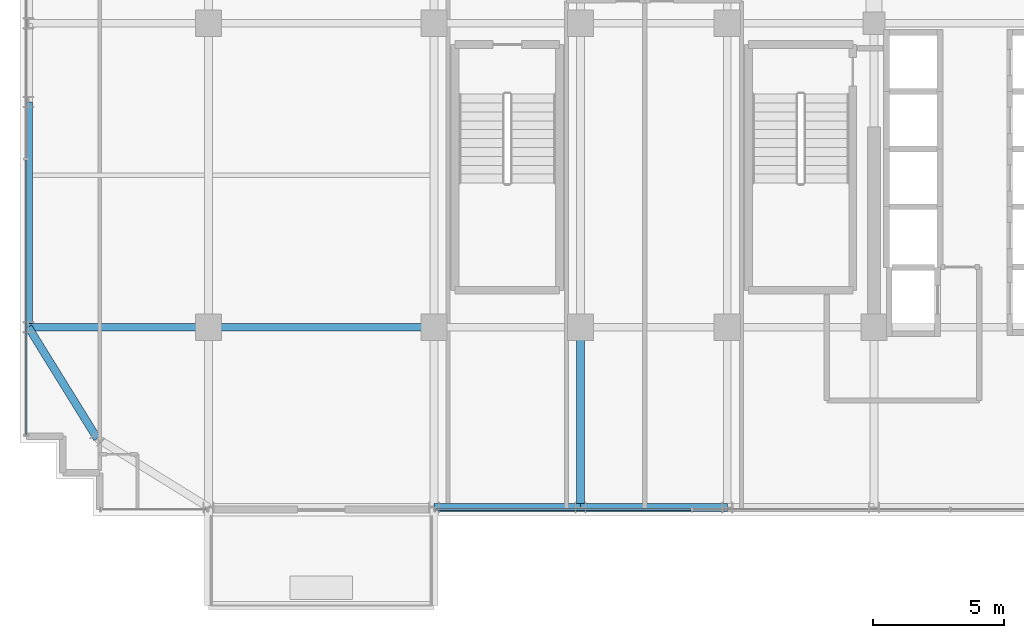
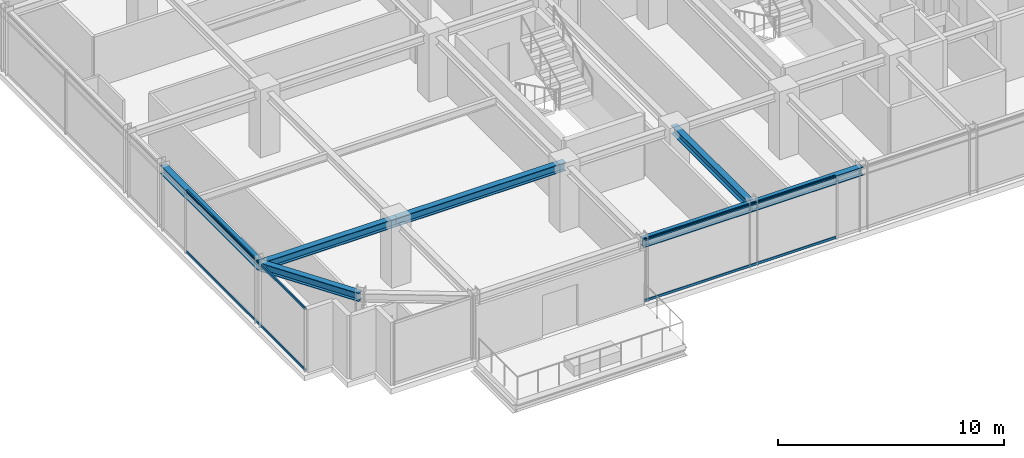
# One storey, part 5 of 36: 7 beams, 4 members, 2 elements without a shape of their own.
"""IFC4 building model written with IfcOpenShell, lengths in metres."""

from ifc_helpers import new_model, si_unit, direction, frame, origin, origin_2d, place, context, subcontext, project, spatial, hollow_rectangle, i_section, extrude, source, transform, mapped, material, material_profile, profile_set, type_object, element, aggregate, save


model = new_model("IFC4")

# Units and contexts
model_context = context("Model", 3, precision=1e-05, world=origin(), true_north=direction((0.0, 1.0)))
body_context = subcontext(model_context, "Body", "Model", "MODEL_VIEW")
ifc_project = project(units=[si_unit("LENGTHUNIT", "METRE"), si_unit("AREAUNIT", "SQUARE_METRE"), si_unit("VOLUMEUNIT", "CUBIC_METRE"), si_unit("PLANEANGLEUNIT", "RADIAN"), si_unit("MASSUNIT", "GRAM", prefix="KILO")], contexts=[model_context])

# Site, building, storey
site_placement = place(None, origin())
site = spatial("IfcSite", under=ifc_project, at=site_placement, CompositionType="ELEMENT")
building_placement = place(site_placement, origin())
building = spatial("IfcBuilding", under=site, at=building_placement, Name="Nahalor Promenade Grand Hotel", CompositionType="ELEMENT")
storey_placement = place(building_placement, frame((0.0, 0.0, 223.39990234375)))
storey = spatial("IfcBuildingStorey", under=building, at=storey_placement, Name="L57", CompositionType="ELEMENT", Elevation=223.39990234375)

# Beams
ifc_material_1 = material(Name="Steel S355JR", Category="steel")
ifc_material_profile_1 = material_profile(ifc_material_1, i_section(OverallWidth=0.3, OverallDepth=0.45, WebThickness=0.014, FlangeThickness=0.026, at=origin_2d()), Name="HEB 450")
ifc_profile_set_1 = profile_set([ifc_material_profile_1], Name="Steel S355JR")
beam_type_1 = type_object("IfcBeamType", Name="Beam-Spandrel-HEB450", PredefinedType="SPANDREL", material=ifc_profile_set_1)
shared_shape_1 = source(origin(), body_context, "Body", "SweptSolid", [
    extrude(i_section(OverallWidth=0.3, OverallDepth=0.45, WebThickness=0.014, FlangeThickness=0.026, at=origin_2d()), origin(), (0.0, 0.0, 1.0), 8.60009765625),
])
beam_1_placement = place(storey_placement, frame((-23.8798828125, -17.0, 3.18505859375), z_axis=(0.0, 1.0, 0.0), x_axis=(-1.0, 0.0, 0.0)))
element("IfcBeam", 1, at=beam_1_placement, inside=storey, type_object=beam_type_1, Name="BM-L57-SP-W-0", PredefinedType="SPANDREL", context=body_context, shape_type="MappedRepresentation", body=[
    mapped(shared_shape_1, transform((0.0, 0.0, 0.0), scale=1.0)),
])
shared_shape_2 = source(origin(), body_context, "Body", "SweptSolid", [
    extrude(i_section(OverallWidth=0.3, OverallDepth=0.45, WebThickness=0.014, FlangeThickness=0.026, at=origin_2d()), origin(), (0.0, 0.0, 1.0), 5.599853515625),
])
beam_2_placement = place(storey_placement, frame((-8.39990234375, -23.8798828125, 3.18505859375), z_axis=(1.0, 0.0, 0.0), x_axis=(0.0, 1.0, 0.0)))
element("IfcBeam", 2, at=beam_2_placement, inside=storey, type_object=beam_type_1, Name="BM-L57-SP-S-1", PredefinedType="SPANDREL", context=body_context, shape_type="MappedRepresentation", body=[
    mapped(shared_shape_2, transform((0.0, 0.0, 0.0), scale=1.0)),
])
shared_shape_3 = source(origin(), body_context, "Body", "SweptSolid", [
    extrude(i_section(OverallWidth=0.3, OverallDepth=0.45, WebThickness=0.014, FlangeThickness=0.026, at=origin_2d()), origin(), (0.0, 0.0, 1.0), 5.60009765625),
])
beam_3_placement = place(storey_placement, frame((-2.800048828125, -23.8798828125, 3.18505859375), z_axis=(1.0, 0.0, 0.0), x_axis=(0.0, 1.0, 0.0)))
element("IfcBeam", 3, at=beam_3_placement, inside=storey, type_object=beam_type_1, Name="BM-L57-SP-S-2", PredefinedType="SPANDREL", context=body_context, shape_type="MappedRepresentation", body=[
    mapped(shared_shape_3, transform((0.0, 0.0, 0.0), scale=1.0)),
])
shared_shape_4 = source(origin(), body_context, "Body", "SweptSolid", [
    extrude(i_section(OverallWidth=0.3, OverallDepth=0.45, WebThickness=0.014, FlangeThickness=0.026, at=origin_2d()), origin(), (0.0, 0.0, 1.0), 4.997802734375),
])
beam_4_placement = place(storey_placement, frame((-21.25, -21.25, 3.18505859375), z_axis=(-0.526199891161, 0.850360908404, 0.0), x_axis=(-0.850360908404, -0.526199891161, 0.0)))
element("IfcBeam", 4, at=beam_4_placement, inside=storey, type_object=beam_type_1, Name="BM-L57-SPC-SW-2", PredefinedType="SPANDREL", context=body_context, shape_type="MappedRepresentation", body=[
    mapped(shared_shape_4, transform((0.0, 0.0, 0.0), scale=1.0)),
])
ifc_material_profile_2 = material_profile(ifc_material_1, i_section(OverallWidth=0.3, OverallDepth=0.45, WebThickness=0.014, FlangeThickness=0.026, at=origin_2d()), Name="HEB 450")
ifc_profile_set_2 = profile_set([ifc_material_profile_2], Name="Steel S355JR")
beam_type_2 = type_object("IfcBeamType", Name="Beam-Girder-HEB450", PredefinedType="BEAM", material=ifc_profile_set_2)
shared_shape_5 = source(origin(), body_context, "Body", "SweptSolid", [
    extrude(i_section(OverallWidth=0.3, OverallDepth=0.45, WebThickness=0.014, FlangeThickness=0.026, at=origin_2d()), origin(), (0.0, 0.0, 1.0), 6.8798828125),
])
for number, where, z_axis, x_axis, name in (
    (5, (-23.8798828125, -17.0, 3.18505859375), (1.0, 0.0, 0.0), (0.0, 1.0, 0.0), "BM-L57-GX-0-0"),
    (6, (-2.800048828125, -23.8798828125, 3.18505859375), (0.0, 1.0, 0.0), (-1.0, 0.0, 0.0), "BM-L57-GY-2-0"),
):
    element("IfcBeam", number, at=place(storey_placement, frame(where, z_axis=z_axis, x_axis=x_axis)), inside=storey, type_object=beam_type_2, Name=name, PredefinedType="BEAM", context=body_context, shape_type="MappedRepresentation", body=[
        mapped(shared_shape_5, transform((0.0, 0.0, 0.0), scale=1.0)),
    ])
shared_shape_6 = source(origin(), body_context, "Body", "SweptSolid", [
    extrude(i_section(OverallWidth=0.3, OverallDepth=0.45, WebThickness=0.014, FlangeThickness=0.026, at=origin_2d()), origin(), (0.0, 0.0, 1.0), 8.60009765625),
])
beam_5_placement = place(storey_placement, frame((-17.0, -17.0, 3.18505859375), z_axis=(1.0, 0.0, 0.0), x_axis=(0.0, 1.0, 0.0)))
element("IfcBeam", 7, at=beam_5_placement, inside=storey, type_object=beam_type_2, Name="BM-L57-GX-0-1", PredefinedType="BEAM", context=body_context, shape_type="MappedRepresentation", body=[
    mapped(shared_shape_6, transform((0.0, 0.0, 0.0), scale=1.0)),
])

# Curtain wall, members
ifc_material_2 = material(Name="Anodised Bronze Aluminium EN AW-6063 T6", Category="aluminium")
curtain_wall_type = type_object("IfcCurtainWallType", Name="CW2 Typical Hotel Flush Bronze Unitised Curtain Wall", PredefinedType="USERDEFINED", material=ifc_material_2)
curtain_wall_1_placement = place(storey_placement, origin())
curtain_wall_1 = element("IfcCurtainWall", 8, at=curtain_wall_1_placement, inside=storey, type_object=curtain_wall_type, Name="L57 Curtain Wall CW-L57-W-1", ObjectType="UNITISED_CURTAIN_WALL", PredefinedType="USERDEFINED")
ifc_material_profile_3 = material_profile(ifc_material_2, hollow_rectangle(XDim=0.065, YDim=0.13, WallThickness=0.004, at=origin_2d()), Name="CWT 65x130x4")
ifc_profile_set_3 = profile_set([ifc_material_profile_3], Name="Anodised Bronze Aluminium EN AW-6063 T6")
member_type = type_object("IfcMemberType", Name="CWT2 Typical Bronze Transom 65x130", PredefinedType="USERDEFINED", material=ifc_profile_set_3)
shared_shape_7 = source(origin(), body_context, "Body", "SweptSolid", [
    extrude(hollow_rectangle(XDim=0.065, YDim=0.13, WallThickness=0.004, at=origin_2d()), origin(), (0.0, 0.0, 1.0), 10.482421875),
])
member_1_placement = place(storey_placement, frame((-23.9599609375, -21.094970703125, 0.065185546875), z_axis=(0.0, 1.0, 0.0), x_axis=(-1.0, 0.0, 0.0)))
member_1 = element("IfcMember", 9, at=member_1_placement, type_object=member_type, Name="CW-L57-W-1 Transom 0-0", ObjectType="TRANSOM", PredefinedType="USERDEFINED", context=body_context, shape_type="MappedRepresentation", body=[
    mapped(shared_shape_7, transform((0.0, 0.0, 0.0), scale=1.0)),
])
member_2_placement = place(storey_placement, frame((-23.9599609375, -21.094970703125, 3.34521484375), z_axis=(0.0, 1.0, 0.0), x_axis=(-1.0, 0.0, 0.0)))
member_2 = element("IfcMember", 10, at=member_2_placement, type_object=member_type, Name="CW-L57-W-1 Transom 0-1", ObjectType="TRANSOM", PredefinedType="USERDEFINED", context=body_context, shape_type="MappedRepresentation", body=[
    mapped(shared_shape_7, transform((0.0, 0.0, 0.0), scale=1.0)),
])
aggregate(curtain_wall_1, [member_1, member_2])

curtain_wall_2_placement = place(storey_placement, origin())
curtain_wall_2 = element("IfcCurtainWall", 11, at=curtain_wall_2_placement, inside=storey, type_object=curtain_wall_type, Name="L57 Curtain Wall CW-L57-S-3", ObjectType="UNITISED_CURTAIN_WALL", PredefinedType="USERDEFINED")
shared_shape_8 = source(origin(), body_context, "Body", "SweptSolid", [
    extrude(hollow_rectangle(XDim=0.065, YDim=0.13, WallThickness=0.004, at=origin_2d()), origin(), (0.0, 0.0, 1.0), 9.755859375),
])
member_3_placement = place(storey_placement, frame((-8.3349609375, -23.9599609375, 0.065185546875), z_axis=(1.0, 0.0, 0.0), x_axis=(0.0, 1.0, 0.0)))
member_3 = element("IfcMember", 12, at=member_3_placement, type_object=member_type, Name="CW-L57-S-3 Transom 0-0", ObjectType="TRANSOM", PredefinedType="USERDEFINED", context=body_context, shape_type="MappedRepresentation", body=[
    mapped(shared_shape_8, transform((0.0, 0.0, 0.0), scale=1.0)),
])
member_4_placement = place(storey_placement, frame((-8.3349609375, -23.9599609375, 3.34521484375), z_axis=(1.0, 0.0, 0.0), x_axis=(0.0, 1.0, 0.0)))
member_4 = element("IfcMember", 13, at=member_4_placement, type_object=member_type, Name="CW-L57-S-3 Transom 0-1", ObjectType="TRANSOM", PredefinedType="USERDEFINED", context=body_context, shape_type="MappedRepresentation", body=[
    mapped(shared_shape_8, transform((0.0, 0.0, 0.0), scale=1.0)),
])
aggregate(curtain_wall_2, [member_3, member_4])

save(model, "model.ifc")
